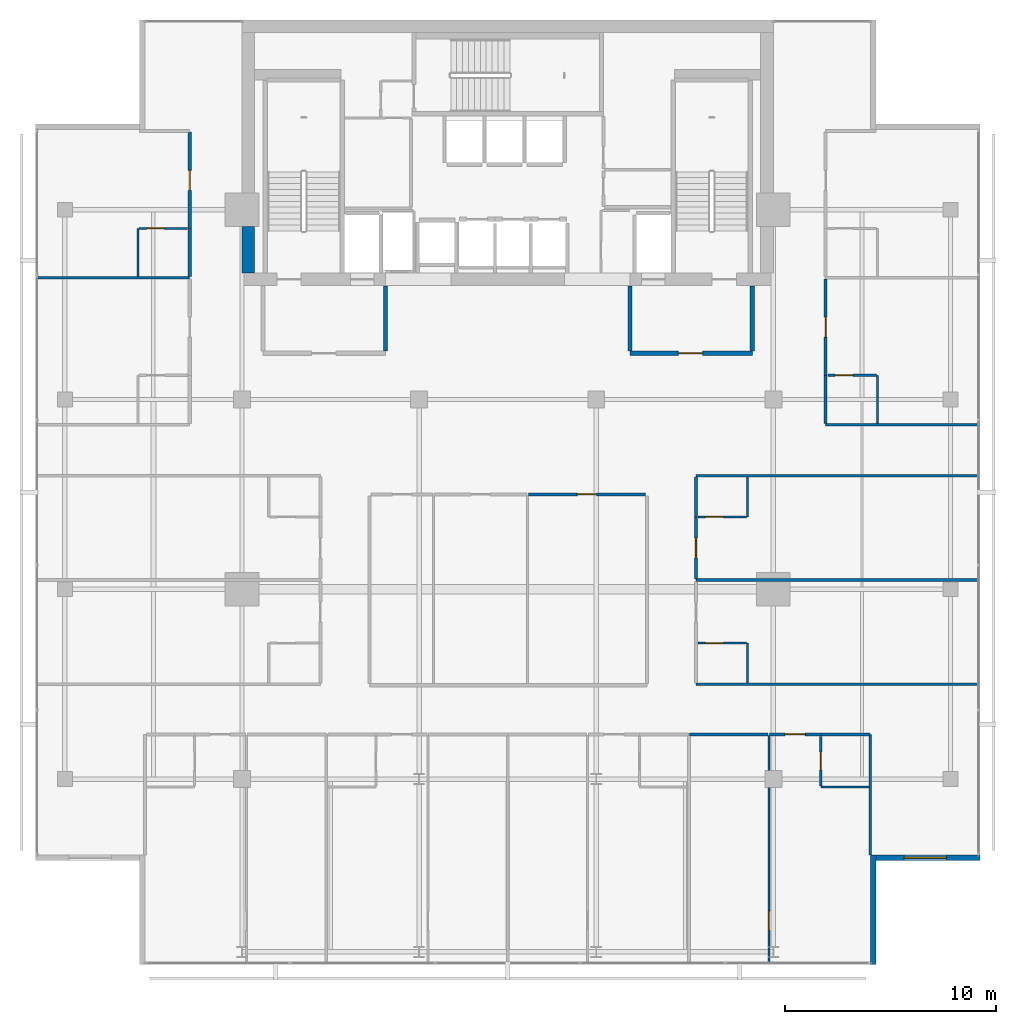
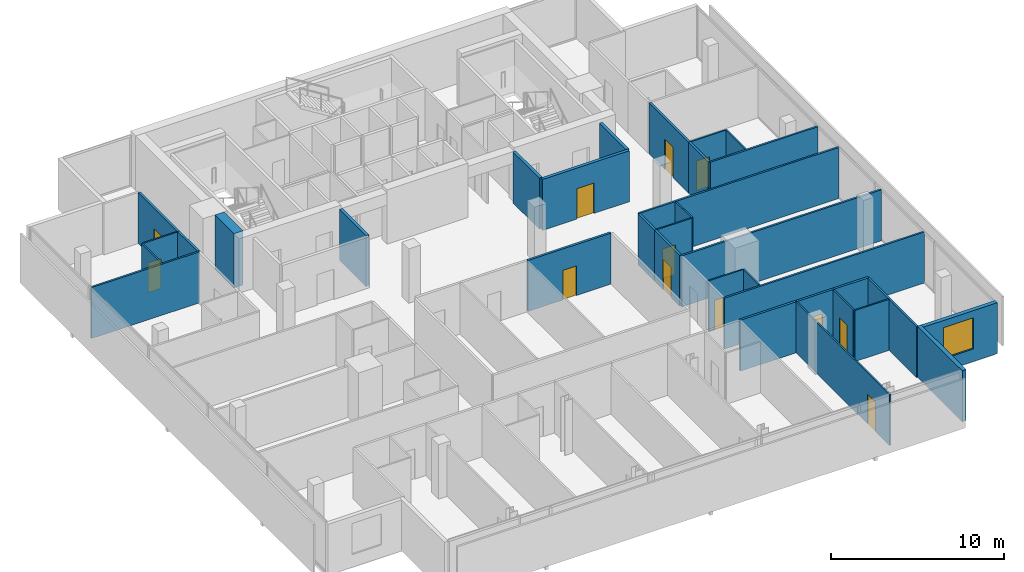
# One storey, part 21 of 25: 34 walls, 12 doors, 1 window, 13 openings.
"""IFC4 building model written with IfcOpenShell, lengths in metres."""

from ifc_helpers import new_model, si_unit, direction, frame, frame_2d, origin, place, context, subcontext, project, spatial, rectangle, extrude, material, layer, layer_set, type_object, element, fill, save


model = new_model("IFC4")

# Units and contexts
model_context = context("Model", 3, precision=1e-05, world=origin(), true_north=direction((0.0, 1.0)))
body_context = subcontext(model_context, "Body", "Model", "MODEL_VIEW")
ifc_project = project(units=[si_unit("LENGTHUNIT", "METRE"), si_unit("AREAUNIT", "SQUARE_METRE"), si_unit("VOLUMEUNIT", "CUBIC_METRE"), si_unit("PLANEANGLEUNIT", "RADIAN"), si_unit("MASSUNIT", "GRAM", prefix="KILO")], contexts=[model_context])

# Site, building, storey
site_placement = place(None, origin())
site = spatial("IfcSite", under=ifc_project, at=site_placement, CompositionType="ELEMENT")
building_placement = place(site_placement, origin())
building = spatial("IfcBuilding", under=site, at=building_placement, Name="Maruvema Waterfront Hotel and Observation Tower", CompositionType="ELEMENT")
storey_placement = place(building_placement, frame((0.0, 0.0, 250.949951171875)))
storey = spatial("IfcBuildingStorey", under=building, at=storey_placement, Name="L61", CompositionType="ELEMENT", Elevation=250.949951171875)

# Wall, opening, door
ifc_material_1 = material(Name="Twin-stud acoustic gypsum drywall", Category="gypsum")
ifc_layer_1 = layer(ifc_material_1, 0.14990234375, Name="Acoustic Corridor and Suite Demising Wall 150 mm")
ifc_layer_set_1 = layer_set([ifc_layer_1], Name="Twin-stud acoustic gypsum drywall")
wall_type_1 = type_object("IfcWallType", Name="Acoustic Corridor and Suite Demising Wall 150 mm", PredefinedType="PARTITIONING", material=ifc_layer_set_1)
wall_1_placement = place(storey_placement, frame((38.775390625, 31.5, 0.0), z_axis=(0.0, 0.0, 1.0), x_axis=(1.0, 0.0, 0.0)))
wall_1 = element("IfcWall", 1, at=wall_1_placement, inside=storey, type_object=wall_type_1, Name="L61 L61-Z3M Front 3 028", PredefinedType="PARTITIONING", context=body_context, shape_type="SweptSolid", body=[
    extrude(rectangle(XDim=5.564697265625, YDim=0.14990234375, at=frame_2d((2.7822265625, 0.0))), origin(), (0.0, 0.0, 1.0), 3.610107421875),
])
opening_1_placement = place(wall_1_placement, frame((2.332275390625, 0.0, 0.0)))
opening_1 = element("IfcOpeningElement", 2, at=opening_1_placement, cuts=wall_1, Name="Opening DR-090", PredefinedType="OPENING", context=body_context, shape_type="SweptSolid", body=[
    extrude(rectangle(XDim=0.89990234375, YDim=2.10009765625, at=frame_2d((0.449951171875, 1.050048828125))), frame((0.0, 0.0849609375, 0.0), z_axis=(0.0, -1.0, 0.0), x_axis=(1.0, 0.0, 0.0)), (0.0, 0.0, 1.0), 0.169921875),
])
ifc_material_2 = material(Name="Solid-core lacquered timber leaf", Category="wood")
door_type_1 = type_object("IfcDoorType", Name="Accessible Toilet and Room Door 900x2100 mm", OperationType="NOTDEFINED", PredefinedType="DOOR", material=ifc_material_2)
door_1_placement = place(opening_1_placement, origin())
door_1 = element("IfcDoor", 3, at=door_1_placement, inside=storey, type_object=door_type_1, Name="L61 Sky Study Office 3 Door", OperationType="SINGLE_SWING_LEFT", OverallHeight=2.10009765625, OverallWidth=0.89990234375, PredefinedType="DOOR", context=body_context, shape_type="SweptSolid", body=[
    extrude(rectangle(XDim=0.89990234375, YDim=2.10009765625, at=frame_2d((0.449951171875, 1.050048828125))), frame((0.0, 0.02490234375, 0.0), z_axis=(0.0, -1.0, 0.0), x_axis=(1.0, 0.0, 0.0)), (0.0, 0.0, 1.0), 0.050048828125),
])
fill(opening_1, door_1)

# Walls
wall_2_placement = place(storey_placement, frame((52.64990234375, 20.1201171875, 0.0), z_axis=(0.0, 0.0, 1.0), x_axis=(1.0, 0.0, 0.0)))
element("IfcWall", 4, at=wall_2_placement, inside=storey, type_object=wall_type_1, Name="L61 Bath L61-S4 Back Wall 052", PredefinedType="PARTITIONING", context=body_context, shape_type="SweptSolid", body=[
    extrude(rectangle(XDim=2.330078125, YDim=0.14990234375, at=frame_2d((1.1650390625, 0.0))), origin(), (0.0, 0.0, 1.0), 3.610107421875),
])
wall_3_placement = place(storey_placement, frame((46.419921875, 20.1201171875, 0.0), z_axis=(0.0, 0.0, 1.0), x_axis=(1.0, 0.0, 0.0)))
element("IfcWall", 5, at=wall_3_placement, inside=storey, type_object=wall_type_1, Name="L61 Bedroom L61-S4 Back Wall 055", PredefinedType="PARTITIONING", context=body_context, shape_type="SweptSolid", body=[
    extrude(rectangle(XDim=3.72412109375, YDim=0.14990234375, at=frame_2d((1.862060546875, 0.0))), origin(), (0.0, 0.0, 1.0), 3.610107421875),
])

# Wall, opening, door
wall_4_placement = place(storey_placement, frame((50.22412109375, 20.1201171875, 0.0), z_axis=(0.0, 0.0, 1.0), x_axis=(1.0, 0.0, 0.0)))
wall_4 = element("IfcWall", 6, at=wall_4_placement, inside=storey, type_object=wall_type_1, Name="L61 Unit L61-S4 Corridor Wall 056", PredefinedType="PARTITIONING", context=body_context, shape_type="SweptSolid", body=[
    extrude(rectangle(XDim=2.42578125, YDim=0.14990234375, at=frame_2d((1.212890625, 0.0))), origin(), (0.0, 0.0, 1.0), 3.610107421875),
])
opening_2_placement = place(wall_4_placement, frame((0.738037109375, 0.0, 0.0)))
opening_2 = element("IfcOpeningElement", 7, at=opening_2_placement, cuts=wall_4, Name="Opening DR-095", PredefinedType="OPENING", context=body_context, shape_type="SweptSolid", body=[
    extrude(rectangle(XDim=0.949951171875, YDim=2.14990234375, at=frame_2d((0.47509765625, 1.074951171875))), frame((0.0, 0.0849609375, 0.0), z_axis=(0.0, -1.0, 0.0), x_axis=(1.0, 0.0, 0.0)), (0.0, 0.0, 1.0), 0.169921875),
])
ifc_material_3 = material(Name="Acoustic solid-core hardwood timber leaf", Category="wood")
door_type_2 = type_object("IfcDoorType", Name="Guestroom Entrance Fire Door 950x2150 mm", OperationType="NOTDEFINED", PredefinedType="DOOR", material=ifc_material_3)
door_2_placement = place(opening_2_placement, frame((0.949951171875, 0.0, 0.0), z_axis=(0.0, 0.0, 1.0), x_axis=(-1.0, 0.0, 0.0)))
door_2 = element("IfcDoor", 8, at=door_2_placement, inside=storey, type_object=door_type_2, Name="L61 Unit L61-S4 Entrance Door", OperationType="SINGLE_SWING_RIGHT", OverallHeight=2.14990234375, OverallWidth=0.949951171875, PredefinedType="DOOR", context=body_context, shape_type="SweptSolid", body=[
    extrude(rectangle(XDim=0.949951171875, YDim=2.14990234375, at=frame_2d((0.47509765625, 1.074951171875))), frame((0.0, 0.02490234375, 0.0), z_axis=(0.0, -1.0, 0.0), x_axis=(1.0, 0.0, 0.0)), (0.0, 0.0, 1.0), 0.050048828125),
])
fill(opening_2, door_2)

wall_5_placement = place(storey_placement, frame((46.72998046875, 27.5, 0.0), z_axis=(0.0, 0.0, 1.0), x_axis=(0.0, 1.0, 0.0)))
wall_5 = element("IfcWall", 9, at=wall_5_placement, inside=storey, type_object=wall_type_1, Name="L61 Room L61-E2 Corridor Wall 076", PredefinedType="PARTITIONING", context=body_context, shape_type="SweptSolid", body=[
    extrude(rectangle(XDim=2.929931640625, YDim=0.14990234375, at=frame_2d((1.46484375, 0.0))), origin(), (0.0, 0.0, 1.0), 3.610107421875),
])
opening_3_placement = place(wall_5_placement, frame((0.989990234375, 0.0, 0.0)))
opening_3 = element("IfcOpeningElement", 10, at=opening_3_placement, cuts=wall_5, Name="Opening DR-095", PredefinedType="OPENING", context=body_context, shape_type="SweptSolid", body=[
    extrude(rectangle(XDim=0.949951171875, YDim=2.14990234375, at=frame_2d((0.47509765625, 1.074951171875))), frame((0.0, 0.0849609375, 0.0), z_axis=(0.0, -1.0, 0.0), x_axis=(1.0, 0.0, 0.0)), (0.0, 0.0, 1.0), 0.169921875),
])
door_3_placement = place(opening_3_placement, frame((0.949951171875, 0.0, 0.0), z_axis=(0.0, 0.0, 1.0), x_axis=(-1.0, 0.0, 0.0)))
door_3 = element("IfcDoor", 11, at=door_3_placement, inside=storey, type_object=door_type_2, Name="L61 Room L61-E2 Entrance Door", OperationType="SINGLE_SWING_LEFT", OverallHeight=2.14990234375, OverallWidth=0.949951171875, PredefinedType="DOOR", context=body_context, shape_type="SweptSolid", body=[
    extrude(rectangle(XDim=0.949951171875, YDim=2.14990234375, at=frame_2d((0.47509765625, 1.074951171875))), frame((0.0, 0.02490234375, 0.0), z_axis=(0.0, -1.0, 0.0), x_axis=(1.0, 0.0, 0.0)), (0.0, 0.0, 1.0), 0.050048828125),
])
fill(opening_3, door_3)

# Walls
wall_6_placement = place(storey_placement, frame((46.72998046875, 30.429931640625, 0.0), z_axis=(0.0, 0.0, 1.0), x_axis=(0.0, 1.0, 0.0)))
element("IfcWall", 12, at=wall_6_placement, inside=storey, type_object=wall_type_1, Name="L61 Bath L61-E2 Wall 077", PredefinedType="PARTITIONING", context=body_context, shape_type="SweptSolid", body=[
    extrude(rectangle(XDim=1.89013671875, YDim=0.14990234375, at=frame_2d((0.945068359375, 0.0))), origin(), (0.0, 0.0, 1.0), 3.610107421875),
])
wall_7_placement = place(storey_placement, frame((52.8798828125, 34.860107421875, 0.0), z_axis=(0.0, 0.0, 1.0), x_axis=(0.0, 1.0, 0.0)))
element("IfcWall", 13, at=wall_7_placement, inside=storey, type_object=wall_type_1, Name="L61 Bath L61-NE1 Wall 088", PredefinedType="PARTITIONING", context=body_context, shape_type="SweptSolid", body=[
    extrude(rectangle(XDim=2.289794921875, YDim=0.14990234375, at=frame_2d((1.14501953125, 0.0))), origin(), (0.0, 0.0, 1.0), 3.610107421875),
])

# Wall, opening, door
wall_8_placement = place(storey_placement, frame((52.8798828125, 37.14990234375, 0.0), z_axis=(0.0, 0.0, 1.0), x_axis=(0.0, 1.0, 0.0)))
wall_8 = element("IfcWall", 14, at=wall_8_placement, inside=storey, type_object=wall_type_1, Name="L61 Room L61-NE1 Corridor Wall 089", PredefinedType="PARTITIONING", context=body_context, shape_type="SweptSolid", body=[
    extrude(rectangle(XDim=4.558837890625, YDim=0.14990234375, at=frame_2d((2.279296875, 0.0))), origin(), (0.0, 0.0, 1.0), 3.610107421875),
])
opening_4_placement = place(wall_8_placement, frame((1.804443359375, 0.0, 0.0)))
opening_4 = element("IfcOpeningElement", 15, at=opening_4_placement, cuts=wall_8, Name="Opening DR-095", PredefinedType="OPENING", context=body_context, shape_type="SweptSolid", body=[
    extrude(rectangle(XDim=0.949951171875, YDim=2.14990234375, at=frame_2d((0.47509765625, 1.074951171875))), frame((0.0, 0.0849609375, 0.0), z_axis=(0.0, -1.0, 0.0), x_axis=(1.0, 0.0, 0.0)), (0.0, 0.0, 1.0), 0.169921875),
])
door_4_placement = place(opening_4_placement, frame((0.949951171875, 0.0, 0.0), z_axis=(0.0, 0.0, 1.0), x_axis=(-1.0, 0.0, 0.0)))
door_4 = element("IfcDoor", 16, at=door_4_placement, inside=storey, type_object=door_type_2, Name="L61 Room L61-NE1 Entrance Door", OperationType="SINGLE_SWING_LEFT", OverallHeight=2.14990234375, OverallWidth=0.949951171875, PredefinedType="DOOR", context=body_context, shape_type="SweptSolid", body=[
    extrude(rectangle(XDim=0.949951171875, YDim=2.14990234375, at=frame_2d((0.47509765625, 1.074951171875))), frame((0.0, 0.02490234375, 0.0), z_axis=(0.0, -1.0, 0.0), x_axis=(1.0, 0.0, 0.0)), (0.0, 0.0, 1.0), 0.050048828125),
])
fill(opening_4, door_4)

# Wall
wall_9_placement = place(storey_placement, frame((22.719970703125, 41.82861328125, 0.0), z_axis=(0.0, 0.0, 1.0), x_axis=(0.0, 1.0, 0.0)))
element("IfcWall", 17, at=wall_9_placement, inside=storey, type_object=wall_type_1, Name="L61 Bath L61-NW2 Wall 094", PredefinedType="PARTITIONING", context=body_context, shape_type="SweptSolid", body=[
    extrude(rectangle(XDim=2.2900390625, YDim=0.14990234375, at=frame_2d((1.14501953125, 0.0))), origin(), (0.0, 0.0, 1.0), 3.610107421875),
])

# Wall, opening, door
wall_10_placement = place(storey_placement, frame((22.719970703125, 44.11865234375, 0.0), z_axis=(0.0, 0.0, 1.0), x_axis=(0.0, 1.0, 0.0)))
wall_10 = element("IfcWall", 18, at=wall_10_placement, inside=storey, type_object=wall_type_1, Name="L61 Room L61-NW2 Corridor Wall 095", PredefinedType="PARTITIONING", context=body_context, shape_type="SweptSolid", body=[
    extrude(rectangle(XDim=4.558837890625, YDim=0.14990234375, at=frame_2d((2.279296875, 0.0))), origin(), (0.0, 0.0, 1.0), 3.610107421875),
])
opening_5_placement = place(wall_10_placement, frame((1.804443359375, 0.0, 0.0)))
opening_5 = element("IfcOpeningElement", 19, at=opening_5_placement, cuts=wall_10, Name="Opening DR-095", PredefinedType="OPENING", context=body_context, shape_type="SweptSolid", body=[
    extrude(rectangle(XDim=0.949951171875, YDim=2.14990234375, at=frame_2d((0.47509765625, 1.074951171875))), frame((0.0, 0.0849609375, 0.0), z_axis=(0.0, -1.0, 0.0), x_axis=(1.0, 0.0, 0.0)), (0.0, 0.0, 1.0), 0.169921875),
])
door_5_placement = place(opening_5_placement, origin())
door_5 = element("IfcDoor", 20, at=door_5_placement, inside=storey, type_object=door_type_2, Name="L61 Room L61-NW2 Entrance Door", OperationType="SINGLE_SWING_LEFT", OverallHeight=2.14990234375, OverallWidth=0.949951171875, PredefinedType="DOOR", context=body_context, shape_type="SweptSolid", body=[
    extrude(rectangle(XDim=0.949951171875, YDim=2.14990234375, at=frame_2d((0.47509765625, 1.074951171875))), frame((0.0, 0.02490234375, 0.0), z_axis=(0.0, -1.0, 0.0), x_axis=(1.0, 0.0, 0.0)), (0.0, 0.0, 1.0), 0.050048828125),
])
fill(opening_5, door_5)

# Walls
ifc_material_4 = material(Name="Concrete C60/75", Category="concrete")
ifc_layer_2 = layer(ifc_material_4, 0.60009765625, Name="Core Shear Wall 600 mm")
ifc_layer_set_2 = layer_set([ifc_layer_2], Name="Concrete C60/75")
wall_type_2 = type_object("IfcWallType", Name="Core Shear Wall 600 mm", PredefinedType="SHEAR", material=ifc_layer_set_2)
wall_11_placement = place(storey_placement, frame((25.5, 42.0, 0.0), z_axis=(0.0, 0.0, 1.0), x_axis=(0.0, 1.0, 0.0)))
element("IfcWall", 21, at=wall_11_placement, inside=storey, type_object=wall_type_2, Name="L61 West-South Core Shear Wall", PredefinedType="SHEAR", context=body_context, shape_type="SweptSolid", body=[
    extrude(rectangle(XDim=2.199951171875, YDim=0.60009765625, at=frame_2d((1.10009765625, 0.0))), origin(), (0.0, 0.0, 1.0), 3.85009765625),
])
ifc_material_5 = material(Name="Moisture-resistant cement-board drywall", Category="gypsum")
ifc_layer_3 = layer(ifc_material_5, 0.10009765625, Name="En-Suite Moisture-Resistant Partition 100 mm")
ifc_layer_set_3 = layer_set([ifc_layer_3], Name="Moisture-resistant cement-board drywall")
wall_type_3 = type_object("IfcWallType", Name="En-Suite Moisture-Resistant Partition 100 mm", PredefinedType="PARTITIONING", material=ifc_layer_set_3)
wall_12_placement = place(storey_placement, frame((52.64990234375, 17.6201171875, 0.0), z_axis=(0.0, 0.0, 1.0), x_axis=(1.0, 0.0, 0.0)))
element("IfcWall", 22, at=wall_12_placement, inside=storey, type_object=wall_type_3, Name="L61 En-Suite L61-S4 South 053", PredefinedType="PARTITIONING", context=body_context, shape_type="SweptSolid", body=[
    extrude(rectangle(XDim=2.31005859375, YDim=0.10009765625, at=frame_2d((1.155029296875, 0.0))), origin(), (0.0, 0.0, 1.0), 3.610107421875),
])

# Wall, opening, door
wall_13_placement = place(storey_placement, frame((52.64990234375, 17.679931640625, 0.0), z_axis=(0.0, 0.0, 1.0), x_axis=(0.0, 1.0, 0.0)))
wall_13 = element("IfcWall", 23, at=wall_13_placement, inside=storey, type_object=wall_type_3, Name="L61 En-Suite L61-S4 West 054", PredefinedType="PARTITIONING", context=body_context, shape_type="SweptSolid", body=[
    extrude(rectangle(XDim=2.340087890625, YDim=0.10009765625, at=frame_2d((1.169921875, 0.0))), origin(), (0.0, 0.0, 1.0), 3.610107421875),
])
opening_6_placement = place(wall_13_placement, frame((0.7451171875, 0.0, 0.0)))
opening_6 = element("IfcOpeningElement", 24, at=opening_6_placement, cuts=wall_13, Name="Opening DR-085", PredefinedType="OPENING", context=body_context, shape_type="SweptSolid", body=[
    extrude(rectangle(XDim=0.85009765625, YDim=2.10009765625, at=frame_2d((0.425048828125, 1.050048828125))), frame((0.0, 0.06005859375, 0.0), z_axis=(0.0, -1.0, 0.0), x_axis=(1.0, 0.0, 0.0)), (0.0, 0.0, 1.0), 0.1201171875),
])
ifc_material_6 = material(Name="Moisture-resistant solid timber leaf", Category="wood")
door_type_3 = type_object("IfcDoorType", Name="En-Suite Bathroom Door 850x2100 mm", OperationType="NOTDEFINED", PredefinedType="DOOR", material=ifc_material_6)
door_6_placement = place(opening_6_placement, origin())
door_6 = element("IfcDoor", 25, at=door_6_placement, inside=storey, type_object=door_type_3, Name="L61 En-Suite L61-S4 Door", OperationType="SINGLE_SWING_LEFT", OverallHeight=2.10009765625, OverallWidth=0.85009765625, PredefinedType="DOOR", context=body_context, shape_type="SweptSolid", body=[
    extrude(rectangle(XDim=0.85009765625, YDim=2.10009765625, at=frame_2d((0.425048828125, 1.050048828125))), frame((0.0, 0.02490234375, 0.0), z_axis=(0.0, -1.0, 0.0), x_axis=(1.0, 0.0, 0.0)), (0.0, 0.0, 1.0), 0.050048828125),
])
fill(opening_6, door_6)

wall_14_placement = place(storey_placement, frame((50.18408203125, 9.22998046875, 0.0), z_axis=(0.0, 0.0, 1.0), x_axis=(0.0, 1.0, 0.0)))
wall_14 = element("IfcWall", 26, at=wall_14_placement, inside=storey, type_object=wall_type_3, Name="L61 Suite L61-S4 Split 057", PredefinedType="PARTITIONING", context=body_context, shape_type="SweptSolid", body=[
    extrude(rectangle(XDim=10.830078125, YDim=0.10009765625, at=frame_2d((5.4150390625, 0.0))), origin(), (0.0, 0.0, 1.0), 3.610107421875),
])
opening_7_placement = place(wall_14_placement, frame((1.60009765625, 0.0, 0.0)))
opening_7 = element("IfcOpeningElement", 27, at=opening_7_placement, cuts=wall_14, Name="Opening DR-090", PredefinedType="OPENING", context=body_context, shape_type="SweptSolid", body=[
    extrude(rectangle(XDim=0.89990234375, YDim=2.10009765625, at=frame_2d((0.449951171875, 1.050048828125))), frame((0.0, 0.06005859375, 0.0), z_axis=(0.0, -1.0, 0.0), x_axis=(1.0, 0.0, 0.0)), (0.0, 0.0, 1.0), 0.1201171875),
])
door_7_placement = place(opening_7_placement, frame((0.89990234375, 0.0, 0.0), z_axis=(0.0, 0.0, 1.0), x_axis=(-1.0, 0.0, 0.0)))
door_7 = element("IfcDoor", 28, at=door_7_placement, inside=storey, type_object=door_type_1, Name="L61 Suite L61-S4 Bedroom Door", OperationType="SINGLE_SWING_LEFT", OverallHeight=2.10009765625, OverallWidth=0.89990234375, PredefinedType="DOOR", context=body_context, shape_type="SweptSolid", body=[
    extrude(rectangle(XDim=0.89990234375, YDim=2.10009765625, at=frame_2d((0.449951171875, 1.050048828125))), frame((0.0, 0.02490234375, 0.0), z_axis=(0.0, -1.0, 0.0), x_axis=(1.0, 0.0, 0.0)), (0.0, 0.0, 1.0), 0.050048828125),
])
fill(opening_7, door_7)

# Wall
wall_15_placement = place(storey_placement, frame((49.179931640625, 22.56005859375, 0.0), z_axis=(0.0, 0.0, 1.0), x_axis=(0.0, 1.0, 0.0)))
element("IfcWall", 29, at=wall_15_placement, inside=storey, type_object=wall_type_3, Name="L61 En-Suite L61-E1 E 068", PredefinedType="PARTITIONING", context=body_context, shape_type="SweptSolid", body=[
    extrude(rectangle(XDim=1.889892578125, YDim=0.10009765625, at=frame_2d((0.94482421875, 0.0))), origin(), (0.0, 0.0, 1.0), 3.610107421875),
])

# Wall, opening, door
wall_16_placement = place(storey_placement, frame((46.830078125, 24.449951171875, 0.0), z_axis=(0.0, 0.0, 1.0), x_axis=(1.0, 0.0, 0.0)))
wall_16 = element("IfcWall", 30, at=wall_16_placement, inside=storey, type_object=wall_type_3, Name="L61 En-Suite L61-E1 N 069", PredefinedType="PARTITIONING", context=body_context, shape_type="SweptSolid", body=[
    extrude(rectangle(XDim=2.2998046875, YDim=0.10009765625, at=frame_2d((1.14990234375, 0.0))), origin(), (0.0, 0.0, 1.0), 3.610107421875),
])
opening_8_placement = place(wall_16_placement, frame((0.35009765625, 0.0, 0.0)))
opening_8 = element("IfcOpeningElement", 31, at=opening_8_placement, cuts=wall_16, Name="Opening DR-085", PredefinedType="OPENING", context=body_context, shape_type="SweptSolid", body=[
    extrude(rectangle(XDim=0.85009765625, YDim=2.10009765625, at=frame_2d((0.425048828125, 1.050048828125))), frame((0.0, 0.06005859375, 0.0), z_axis=(0.0, -1.0, 0.0), x_axis=(1.0, 0.0, 0.0)), (0.0, 0.0, 1.0), 0.1201171875),
])
door_8_placement = place(opening_8_placement, origin())
door_8 = element("IfcDoor", 32, at=door_8_placement, inside=storey, type_object=door_type_3, Name="L61 En-Suite L61-E1 Door", OperationType="SINGLE_SWING_RIGHT", OverallHeight=2.10009765625, OverallWidth=0.85009765625, PredefinedType="DOOR", context=body_context, shape_type="SweptSolid", body=[
    extrude(rectangle(XDim=0.85009765625, YDim=2.10009765625, at=frame_2d((0.425048828125, 1.050048828125))), frame((0.0, 0.02490234375, 0.0), z_axis=(0.0, -1.0, 0.0), x_axis=(1.0, 0.0, 0.0)), (0.0, 0.0, 1.0), 0.050048828125),
])
fill(opening_8, door_8)

# Wall
wall_17_placement = place(storey_placement, frame((49.179931640625, 30.429931640625, 0.0), z_axis=(0.0, 0.0, 1.0), x_axis=(0.0, 1.0, 0.0)))
element("IfcWall", 33, at=wall_17_placement, inside=storey, type_object=wall_type_3, Name="L61 En-Suite L61-E2 E 078", PredefinedType="PARTITIONING", context=body_context, shape_type="SweptSolid", body=[
    extrude(rectangle(XDim=1.89013671875, YDim=0.10009765625, at=frame_2d((0.945068359375, 0.0))), origin(), (0.0, 0.0, 1.0), 3.610107421875),
])

# Wall, opening, door
wall_18_placement = place(storey_placement, frame((46.830078125, 30.429931640625, 0.0), z_axis=(0.0, 0.0, 1.0), x_axis=(1.0, 0.0, 0.0)))
wall_18 = element("IfcWall", 34, at=wall_18_placement, inside=storey, type_object=wall_type_3, Name="L61 En-Suite L61-E2 S 079", PredefinedType="PARTITIONING", context=body_context, shape_type="SweptSolid", body=[
    extrude(rectangle(XDim=2.2998046875, YDim=0.10009765625, at=frame_2d((1.14990234375, 0.0))), origin(), (0.0, 0.0, 1.0), 3.610107421875),
])
opening_9_placement = place(wall_18_placement, frame((0.35009765625, 0.0, 0.0)))
opening_9 = element("IfcOpeningElement", 35, at=opening_9_placement, cuts=wall_18, Name="Opening DR-085", PredefinedType="OPENING", context=body_context, shape_type="SweptSolid", body=[
    extrude(rectangle(XDim=0.85009765625, YDim=2.10009765625, at=frame_2d((0.425048828125, 1.050048828125))), frame((0.0, 0.06005859375, 0.0), z_axis=(0.0, -1.0, 0.0), x_axis=(1.0, 0.0, 0.0)), (0.0, 0.0, 1.0), 0.1201171875),
])
door_9_placement = place(opening_9_placement, frame((0.85009765625, 0.0, 0.0), z_axis=(0.0, 0.0, 1.0), x_axis=(-1.0, 0.0, 0.0)))
door_9 = element("IfcDoor", 36, at=door_9_placement, inside=storey, type_object=door_type_3, Name="L61 En-Suite L61-E2 Door", OperationType="SINGLE_SWING_RIGHT", OverallHeight=2.10009765625, OverallWidth=0.85009765625, PredefinedType="DOOR", context=body_context, shape_type="SweptSolid", body=[
    extrude(rectangle(XDim=0.85009765625, YDim=2.10009765625, at=frame_2d((0.425048828125, 1.050048828125))), frame((0.0, 0.02490234375, 0.0), z_axis=(0.0, -1.0, 0.0), x_axis=(1.0, 0.0, 0.0)), (0.0, 0.0, 1.0), 0.050048828125),
])
fill(opening_9, door_9)

# Wall
wall_19_placement = place(storey_placement, frame((55.330078125, 34.860107421875, 0.0), z_axis=(0.0, 0.0, 1.0), x_axis=(0.0, 1.0, 0.0)))
element("IfcWall", 37, at=wall_19_placement, inside=storey, type_object=wall_type_3, Name="L61 En-Suite L61-NE1 E 090", PredefinedType="PARTITIONING", context=body_context, shape_type="SweptSolid", body=[
    extrude(rectangle(XDim=2.289794921875, YDim=0.10009765625, at=frame_2d((1.14501953125, 0.0))), origin(), (0.0, 0.0, 1.0), 3.610107421875),
])

# Wall, opening, door
wall_20_placement = place(storey_placement, frame((52.97998046875, 37.14990234375, 0.0), z_axis=(0.0, 0.0, 1.0), x_axis=(1.0, 0.0, 0.0)))
wall_20 = element("IfcWall", 38, at=wall_20_placement, inside=storey, type_object=wall_type_3, Name="L61 En-Suite L61-NE1 N 091", PredefinedType="PARTITIONING", context=body_context, shape_type="SweptSolid", body=[
    extrude(rectangle(XDim=2.300048828125, YDim=0.10009765625, at=frame_2d((1.14990234375, 0.0))), origin(), (0.0, 0.0, 1.0), 3.610107421875),
])
opening_10_placement = place(wall_20_placement, frame((0.35009765625, 0.0, 0.0)))
opening_10 = element("IfcOpeningElement", 39, at=opening_10_placement, cuts=wall_20, Name="Opening DR-085", PredefinedType="OPENING", context=body_context, shape_type="SweptSolid", body=[
    extrude(rectangle(XDim=0.85009765625, YDim=2.10009765625, at=frame_2d((0.425048828125, 1.050048828125))), frame((0.0, 0.06005859375, 0.0), z_axis=(0.0, -1.0, 0.0), x_axis=(1.0, 0.0, 0.0)), (0.0, 0.0, 1.0), 0.1201171875),
])
door_10_placement = place(opening_10_placement, origin())
door_10 = element("IfcDoor", 40, at=door_10_placement, inside=storey, type_object=door_type_3, Name="L61 En-Suite L61-NE1 Door", OperationType="SINGLE_SWING_RIGHT", OverallHeight=2.10009765625, OverallWidth=0.85009765625, PredefinedType="DOOR", context=body_context, shape_type="SweptSolid", body=[
    extrude(rectangle(XDim=0.85009765625, YDim=2.10009765625, at=frame_2d((0.425048828125, 1.050048828125))), frame((0.0, 0.02490234375, 0.0), z_axis=(0.0, -1.0, 0.0), x_axis=(1.0, 0.0, 0.0)), (0.0, 0.0, 1.0), 0.050048828125),
])
fill(opening_10, door_10)

# Wall
wall_21_placement = place(storey_placement, frame((20.27001953125, 41.82861328125, 0.0), z_axis=(0.0, 0.0, 1.0), x_axis=(0.0, 1.0, 0.0)))
element("IfcWall", 41, at=wall_21_placement, inside=storey, type_object=wall_type_3, Name="L61 En-Suite L61-NW2 W 096", PredefinedType="PARTITIONING", context=body_context, shape_type="SweptSolid", body=[
    extrude(rectangle(XDim=2.2900390625, YDim=0.10009765625, at=frame_2d((1.14501953125, 0.0))), origin(), (0.0, 0.0, 1.0), 3.610107421875),
])

# Wall, opening, door
wall_22_placement = place(storey_placement, frame((20.320068359375, 44.11865234375, 0.0), z_axis=(0.0, 0.0, 1.0), x_axis=(1.0, 0.0, 0.0)))
wall_22 = element("IfcWall", 42, at=wall_22_placement, inside=storey, type_object=wall_type_3, Name="L61 En-Suite L61-NW2 N 097", PredefinedType="PARTITIONING", context=body_context, shape_type="SweptSolid", body=[
    extrude(rectangle(XDim=2.300048828125, YDim=0.10009765625, at=frame_2d((1.14990234375, 0.0))), origin(), (0.0, 0.0, 1.0), 3.610107421875),
])
opening_11_placement = place(wall_22_placement, frame((0.35009765625, 0.0, 0.0)))
opening_11 = element("IfcOpeningElement", 43, at=opening_11_placement, cuts=wall_22, Name="Opening DR-085", PredefinedType="OPENING", context=body_context, shape_type="SweptSolid", body=[
    extrude(rectangle(XDim=0.85009765625, YDim=2.10009765625, at=frame_2d((0.425048828125, 1.050048828125))), frame((0.0, 0.06005859375, 0.0), z_axis=(0.0, -1.0, 0.0), x_axis=(1.0, 0.0, 0.0)), (0.0, 0.0, 1.0), 0.1201171875),
])
door_11_placement = place(opening_11_placement, origin())
door_11 = element("IfcDoor", 44, at=door_11_placement, inside=storey, type_object=door_type_3, Name="L61 En-Suite L61-NW2 Door", OperationType="SINGLE_SWING_RIGHT", OverallHeight=2.10009765625, OverallWidth=0.85009765625, PredefinedType="DOOR", context=body_context, shape_type="SweptSolid", body=[
    extrude(rectangle(XDim=0.85009765625, YDim=2.10009765625, at=frame_2d((0.425048828125, 1.050048828125))), frame((0.0, 0.02490234375, 0.0), z_axis=(0.0, -1.0, 0.0), x_axis=(1.0, 0.0, 0.0)), (0.0, 0.0, 1.0), 0.050048828125),
])
fill(opening_11, door_11)

# Wall
ifc_material_7 = material(Name="Precast concrete C45/55 with honed Pernambuco granite facing", Category="masonry")
ifc_layer_4 = layer(ifc_material_7, 0.260009765625, Name="Exterior Granite Clad Spandrel and Pier Wall 260 mm")
ifc_layer_set_4 = layer_set([ifc_layer_4], Name="Precast concrete C45/55 with honed Pernambuco granite facing")
wall_type_4 = type_object("IfcWallType", Name="Exterior Granite Clad Spandrel and Pier Wall 260 mm", PredefinedType="SOLIDWALL", material=ifc_layer_set_4)
wall_23_placement = place(storey_placement, frame((55.1298828125, 14.39990234375, 0.0), z_axis=(0.0, 0.0, 1.0), x_axis=(0.0, -1.0, 0.0)))
element("IfcWall", 45, at=wall_23_placement, inside=storey, type_object=wall_type_4, Name="L61 Corner Notch Granite Pier Wall SE1", PredefinedType="SOLIDWALL", context=body_context, shape_type="SweptSolid", body=[
    extrude(rectangle(XDim=5.199951171875, YDim=0.260009765625, at=frame_2d((2.60009765625, 0.0))), origin(), (0.0, 0.0, 1.0), 3.610107421875),
])

# Wall, opening, window
wall_24_placement = place(storey_placement, frame((60.199951171875, 14.27001953125, 0.0), z_axis=(0.0, 0.0, 1.0), x_axis=(-1.0, 0.0, 0.0)))
wall_24 = element("IfcWall", 46, at=wall_24_placement, inside=storey, type_object=wall_type_4, Name="L61 Corner Notch Granite Pier Wall SE2", PredefinedType="SOLIDWALL", context=body_context, shape_type="SweptSolid", body=[
    extrude(rectangle(XDim=5.199951171875, YDim=0.260009765625, at=frame_2d((2.60009765625, 0.0))), origin(), (0.0, 0.0, 1.0), 3.610107421875),
])
opening_12_placement = place(wall_24_placement, frame((1.60009765625, 0.0, 0.89990234375)))
opening_12 = element("IfcOpeningElement", 47, at=opening_12_placement, cuts=wall_24, Name="Opening WN-03", PredefinedType="OPENING", context=body_context, shape_type="SweptSolid", body=[
    extrude(rectangle(XDim=2.0, YDim=2.199951171875, at=frame_2d((1.0, 1.10009765625))), frame((0.0, 0.14013671875, 0.0), z_axis=(0.0, -1.0, 0.0), x_axis=(1.0, 0.0, 0.0)), (0.0, 0.0, 1.0), 0.280029296875),
])
ifc_material_8 = material(Name="Anodised bronze aluminium frame with laminated low-E glass", Category="aluminium")
window_type = type_object("IfcWindowType", Name="Sky Suite Panoramic Notch Window 2000x2200 mm", PartitioningType="SINGLE_PANEL", PredefinedType="WINDOW", material=ifc_material_8)
window_placement = place(opening_12_placement, origin())
window = element("IfcWindow", 48, at=window_placement, inside=storey, type_object=window_type, Name="L61 Corner Notch Punched Window SE2", OverallHeight=2.199951171875, OverallWidth=2.0, PartitioningType="SINGLE_PANEL", PredefinedType="WINDOW", context=body_context, shape_type="SweptSolid", body=[
    extrude(rectangle(XDim=2.0, YDim=2.199951171875, at=frame_2d((1.0, 1.10009765625))), frame((0.0, 0.030029296875, 0.0), z_axis=(0.0, -1.0, 0.0), x_axis=(1.0, 0.0, 0.0)), (0.0, 0.0, 1.0), 0.06005859375),
])
fill(opening_12, window)

# Wall
ifc_material_9 = material(Name="Autoclaved cellular concrete blockwork", Category="masonry")
ifc_layer_5 = layer(ifc_material_9, 0.199951171875, Name="Fire Compartment Masonry Wall 200 mm")
ifc_layer_set_5 = layer_set([ifc_layer_5], Name="Autoclaved cellular concrete blockwork")
wall_type_5 = type_object("IfcWallType", Name="Fire Compartment Masonry Wall 200 mm", PredefinedType="PARTITIONING", material=ifc_layer_set_5)
wall_25_placement = place(storey_placement, frame((32.0, 38.31005859375, 0.0), z_axis=(0.0, 0.0, 1.0), x_axis=(0.0, 1.0, 0.0)))
element("IfcWall", 49, at=wall_25_placement, inside=storey, type_object=wall_type_5, Name="L61 FFL West East Wall 003", PredefinedType="PARTITIONING", context=body_context, shape_type="SweptSolid", body=[
    extrude(rectangle(XDim=3.06982421875, YDim=0.199951171875, at=frame_2d((1.534912109375, 0.0))), origin(), (0.0, 0.0, 1.0), 3.610107421875),
])

# Wall, opening, door
wall_26_placement = place(storey_placement, frame((43.60009765625, 38.199951171875, 0.0), z_axis=(0.0, 0.0, 1.0), x_axis=(1.0, 0.0, 0.0)))
wall_26 = element("IfcWall", 50, at=wall_26_placement, inside=storey, type_object=wall_type_5, Name="L61 FFL East South Wall 004", PredefinedType="PARTITIONING", context=body_context, shape_type="SweptSolid", body=[
    extrude(rectangle(XDim=5.7998046875, YDim=0.199951171875, at=frame_2d((2.89990234375, 0.0))), origin(), (0.0, 0.0, 1.0), 3.610107421875),
])
opening_13_placement = place(wall_26_placement, frame((2.300048828125, 0.0, 0.0)))
opening_13 = element("IfcOpeningElement", 51, at=opening_13_placement, cuts=wall_26, Name="Opening FD-115", PredefinedType="OPENING", context=body_context, shape_type="SweptSolid", body=[
    extrude(rectangle(XDim=1.14990234375, YDim=2.14990234375, at=frame_2d((0.574951171875, 1.074951171875))), frame((0.0, 0.10986328125, 0.0), z_axis=(0.0, -1.0, 0.0), x_axis=(1.0, 0.0, 0.0)), (0.0, 0.0, 1.0), 0.219970703125),
])
ifc_material_10 = material(Name="Fire-rated galvanised steel and vision glass", Category="steel")
door_type_4 = type_object("IfcDoorType", Name="Firefighting Lobby Fire Door 1150x2150 mm", OperationType="NOTDEFINED", PredefinedType="DOOR", material=ifc_material_10)
door_12_placement = place(opening_13_placement, frame((1.14990234375, 0.0, 0.0), z_axis=(0.0, 0.0, 1.0), x_axis=(-1.0, 0.0, 0.0)))
door_12 = element("IfcDoor", 52, at=door_12_placement, inside=storey, type_object=door_type_4, Name="L61 Firefighting Lobby East Door", OperationType="SINGLE_SWING_RIGHT", OverallHeight=2.14990234375, OverallWidth=1.14990234375, PredefinedType="DOOR", context=body_context, shape_type="SweptSolid", body=[
    extrude(rectangle(XDim=1.14990234375, YDim=2.14990234375, at=frame_2d((0.574951171875, 1.074951171875))), frame((0.0, 0.02490234375, 0.0), z_axis=(0.0, -1.0, 0.0), x_axis=(1.0, 0.0, 0.0)), (0.0, 0.0, 1.0), 0.050048828125),
])
fill(opening_13, door_12)

# Walls
for number, where, z_axis, x_axis, name in (
    (53, (43.60009765625, 38.31005859375, 0.0), (0.0, 0.0, 1.0), (0.0, 1.0, 0.0), "L61 FFL East West Wall 005"),
    (54, (49.39990234375, 38.31005859375, 0.0), (0.0, 0.0, 1.0), (0.0, 1.0, 0.0), "L61 FFL East East Wall 006"),
):
    element("IfcWall", number, at=place(storey_placement, frame(where, z_axis=z_axis, x_axis=x_axis)), inside=storey, type_object=wall_type_5, Name=name, PredefinedType="PARTITIONING", context=body_context, shape_type="SweptSolid", body=[
        extrude(rectangle(XDim=3.06982421875, YDim=0.199951171875, at=frame_2d((1.534912109375, 0.0))), origin(), (0.0, 0.0, 1.0), 3.610107421875),
    ])
ifc_material_11 = material(Name="Acoustic gypsum plasterboard drywall", Category="gypsum")
ifc_layer_6 = layer(ifc_material_11, 0.125, Name="Guestroom Acoustic Demising Wall 125 mm")
ifc_layer_set_6 = layer_set([ifc_layer_6], Name="Acoustic gypsum plasterboard drywall")
wall_type_6 = type_object("IfcWallType", Name="Guestroom Acoustic Demising Wall 125 mm", PredefinedType="PARTITIONING", material=ifc_layer_set_6)
wall_27_placement = place(storey_placement, frame((55.0, 14.39990234375, 0.0), z_axis=(0.0, 0.0, 1.0), x_axis=(0.0, 1.0, 0.0)))
element("IfcWall", 55, at=wall_27_placement, inside=storey, type_object=wall_type_6, Name="L61 Z3 S East End 030", PredefinedType="PARTITIONING", context=body_context, shape_type="SweptSolid", body=[
    extrude(rectangle(XDim=5.72021484375, YDim=0.125, at=frame_2d((2.860107421875, 0.0))), origin(), (0.0, 0.0, 1.0), 3.610107421875),
])
for number, where, z_axis, x_axis, name in (
    (56, (46.72998046875, 22.5, 0.0), (0.0, 0.0, 1.0), (1.0, 0.0, 0.0), "L61 Z3 E Bot End 059"),
    (57, (46.72998046875, 32.3798828125, 0.0), (0.0, 0.0, 1.0), (1.0, 0.0, 0.0), "L61 Z3 E Top End 061"),
    (58, (46.72998046875, 27.43994140625, 0.0), (0.0, 0.0, 1.0), (1.0, 0.0, 0.0), "L61 Z3 E Demising 2 071"),
):
    element("IfcWall", number, at=place(storey_placement, frame(where, z_axis=z_axis, x_axis=x_axis)), inside=storey, type_object=wall_type_6, Name=name, PredefinedType="PARTITIONING", context=body_context, shape_type="SweptSolid", body=[
        extrude(rectangle(XDim=13.3701171875, YDim=0.125, at=frame_2d((6.68505859375, 0.0))), origin(), (0.0, 0.0, 1.0), 3.610107421875),
    ])
wall_28_placement = place(storey_placement, frame((52.8798828125, 34.800048828125, 0.0), z_axis=(0.0, 0.0, 1.0), x_axis=(1.0, 0.0, 0.0)))
element("IfcWall", 59, at=wall_28_placement, inside=storey, type_object=wall_type_6, Name="L61 Z3 NE Bot End 081", PredefinedType="PARTITIONING", context=body_context, shape_type="SweptSolid", body=[
    extrude(rectangle(XDim=7.22021484375, YDim=0.125, at=frame_2d((3.610107421875, 0.0))), origin(), (0.0, 0.0, 1.0), 3.610107421875),
])
wall_29_placement = place(storey_placement, frame((15.5, 41.768798828125, 0.0), z_axis=(0.0, 0.0, 1.0), x_axis=(1.0, 0.0, 0.0)))
element("IfcWall", 60, at=wall_29_placement, inside=storey, type_object=wall_type_6, Name="L61 Z3 NW Demising 2 092", PredefinedType="PARTITIONING", context=body_context, shape_type="SweptSolid", body=[
    extrude(rectangle(XDim=7.219970703125, YDim=0.125, at=frame_2d((3.60986328125, 0.0))), origin(), (0.0, 0.0, 1.0), 3.610107421875),
])

save(model, "model.ifc")
